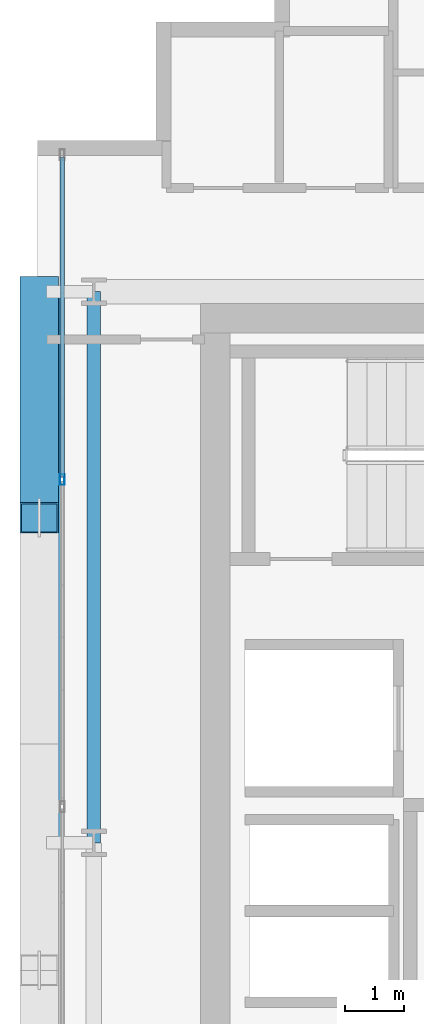
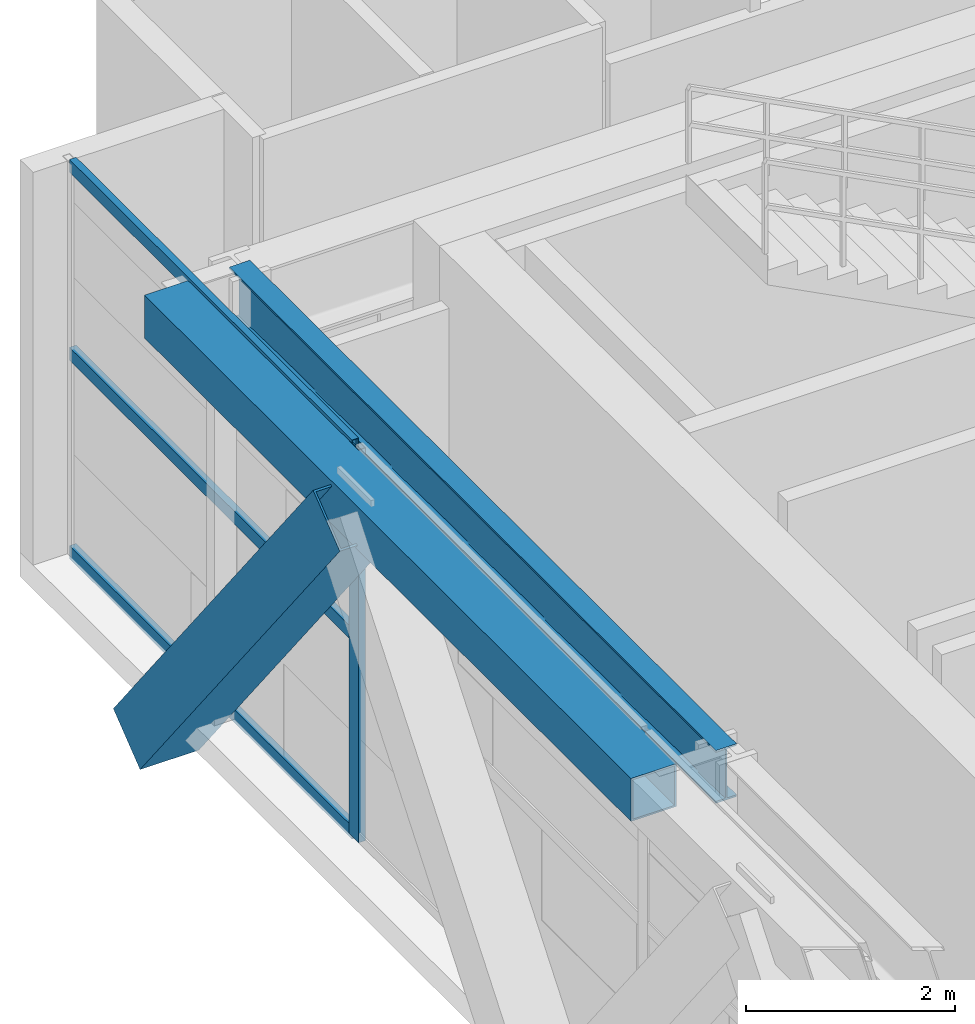
# One storey, part 7 of 31: 5 members, 2 beams, 1 element without a shape of its own.
"""IFC4 building model written with IfcOpenShell, lengths in metres."""

from ifc_helpers import new_model, si_unit, direction, frame, origin, origin_2d, place, context, subcontext, project, spatial, hollow_rectangle, i_section, extrude, source, transform, mapped, material, layer, layer_set, material_profile, profile_set, type_object, element, aggregate, save


model = new_model("IFC4")

# Units and contexts
model_context = context("Model", 3, precision=1e-05, world=origin(), true_north=direction((0.0, 1.0)))
body_context = subcontext(model_context, "Body", "Model", "MODEL_VIEW")
ifc_project = project(units=[si_unit("LENGTHUNIT", "METRE"), si_unit("AREAUNIT", "SQUARE_METRE"), si_unit("VOLUMEUNIT", "CUBIC_METRE"), si_unit("PLANEANGLEUNIT", "RADIAN"), si_unit("MASSUNIT", "GRAM", prefix="KILO")], contexts=[model_context])

# Site, building, storey
site_placement = place(None, origin())
site = spatial("IfcSite", under=ifc_project, at=site_placement, CompositionType="ELEMENT")
building_placement = place(site_placement, origin())
building = spatial("IfcBuilding", under=site, at=building_placement, Name="Ocotamira Hotel", CompositionType="ELEMENT")
storey_placement = place(building_placement, frame((0.0, 0.0, 228.0)))
storey = spatial("IfcBuildingStorey", under=building, at=storey_placement, Name="L57", CompositionType="ELEMENT", Elevation=228.0)

# Beams
ifc_material_1 = material(Name="Steel ASTM A992 Grade 50", Category="steel")
ifc_material_profile_1 = material_profile(ifc_material_1, i_section(OverallWidth=0.22998046875, OverallDepth=0.616943359375, WebThickness=0.01318359375, FlangeThickness=0.022216796875, FilletRadius=0.012939453125, at=origin_2d()), Name="W24X94")
ifc_profile_set_1 = profile_set([ifc_material_profile_1], Name="Steel ASTM A992 Grade 50")
beam_type_1 = type_object("IfcBeamType", Name="BM-PRIM-W24X94", PredefinedType="BEAM", material=ifc_profile_set_1)
shared_shape_1 = source(origin(), body_context, "Body", "SweptSolid", [
    extrude(i_section(OverallWidth=0.22998046875, OverallDepth=0.616943359375, WebThickness=0.01318359375, FlangeThickness=0.022216796875, FilletRadius=0.012939453125, at=origin_2d()), origin(), (0.0, 0.0, 1.0), 9.300048828125),
])
beam_1_placement = place(storey_placement, frame((8.949951171875, 28.14990234375, 4.271484375), z_axis=(0.0, 1.0, 0.0), x_axis=(-1.0, 0.0, 0.0)))
element("IfcBeam", 1, at=beam_1_placement, inside=storey, type_object=beam_type_1, Name="L57 Beam X8.95 Y28.15-37.45", PredefinedType="BEAM", context=body_context, shape_type="MappedRepresentation", body=[
    mapped(shared_shape_1, transform((0.0, 0.0, 0.0), scale=1.0)),
])
ifc_material_2 = material(Name="Steel ASTM A500 Grade C", Category="steel")
ifc_material_profile_2 = material_profile(ifc_material_2, hollow_rectangle(XDim=0.5, YDim=0.5, WallThickness=0.02001953125, at=origin_2d()), Name="HSS500X500X20")
ifc_profile_set_2 = profile_set([ifc_material_profile_2], Name="Steel ASTM A500 Grade C")
beam_type_2 = type_object("IfcBeamType", Name="BM-SPAN-HSS500", PredefinedType="USERDEFINED", material=ifc_profile_set_2)
shared_shape_2 = source(origin(), body_context, "Body", "SweptSolid", [
    extrude(hollow_rectangle(XDim=0.5, YDim=0.5, WallThickness=0.02001953125, at=origin_2d()), origin(), (0.0, 0.0, 1.0), 9.300048828125),
])
beam_2_placement = place(storey_placement, frame((8.14990234375, 28.14990234375, 4.330078125), z_axis=(0.0, 1.0, 0.0), x_axis=(-1.0, 0.0, 0.0)))
element("IfcBeam", 2, at=beam_2_placement, inside=storey, type_object=beam_type_2, Name="L57 Edge Spandrel W Y28.15-37.45", ObjectType="SPANDREL", PredefinedType="USERDEFINED", context=body_context, shape_type="MappedRepresentation", body=[
    mapped(shared_shape_2, transform((0.0, 0.0, 0.0), scale=1.0)),
])

# Member
ifc_material_3 = material(Name="Pale-metal coated steel ASTM A913 Grade 65", Category="steel")
ifc_material_profile_3 = material_profile(ifc_material_3, hollow_rectangle(XDim=0.64990234375, YDim=0.64990234375, WallThickness=0.02197265625, at=origin_2d()), Name="BOX650X650X22")
ifc_profile_set_3 = profile_set([ifc_material_profile_3], Name="Pale-metal coated steel ASTM A913 Grade 65")
member_type_1 = type_object("IfcMemberType", Name="MEM-EXO-BOX650", PredefinedType="BRACE", material=ifc_profile_set_3)
shared_shape_3 = source(origin(), body_context, "Body", "SweptSolid", [
    extrude(hollow_rectangle(XDim=0.64990234375, YDim=0.64990234375, WallThickness=0.02197265625, at=origin_2d()), origin(), (0.0, 0.0, 1.0), 6.1796875),
])
member_1_placement = place(storey_placement, frame((8.030029296875, 37.449951171875, -0.530029296875), z_axis=(0.0, -0.61762087854, 0.786475969366), x_axis=(1.0, 0.0, 0.0)))
element("IfcMember", 3, at=member_1_placement, inside=storey, type_object=member_type_1, Name="L57 Exoskeleton Diagrid W2.2", PredefinedType="BRACE", context=body_context, shape_type="MappedRepresentation", body=[
    mapped(shared_shape_3, transform((0.0, 0.0, 0.0), scale=1.0)),
])

# Curtain wall, members
ifc_material_4 = material(Name="Anodised pale-metal aluminium and solar glass", Category="aluminium")
ifc_layer = layer(ifc_material_4, 0.239990234375)
ifc_layer_set = layer_set([ifc_layer], Name="Anodised pale-metal aluminium and solar glass")
curtain_wall_type = type_object("IfcCurtainWallType", Name="CW-SYS5-SKY", PredefinedType="NOTDEFINED", material=ifc_layer_set)
curtain_wall_placement = place(storey_placement, origin())
curtain_wall = element("IfcCurtainWall", 4, at=curtain_wall_placement, inside=storey, type_object=curtain_wall_type, Name="L57 Curtain Wall CW-5 CW-L57-W", PredefinedType="NOTDEFINED")
ifc_material_5 = material(Name="Anodised pale-metal aluminium 6063-T6", Category="aluminium")
ifc_material_profile_4 = material_profile(ifc_material_5, hollow_rectangle(XDim=0.074951171875, YDim=0.14990234375, WallThickness=0.006103515625, at=origin_2d()), Name="HSS150X75X6")
ifc_profile_set_4 = profile_set([ifc_material_profile_4], Name="Anodised pale-metal aluminium 6063-T6")
member_type_2 = type_object("IfcMemberType", Name="CWT-150X75", PredefinedType="USERDEFINED", material=ifc_profile_set_4)
shared_shape_4 = source(origin(), body_context, "Body", "SweptSolid", [
    extrude(hollow_rectangle(XDim=0.074951171875, YDim=0.14990234375, WallThickness=0.006103515625, at=origin_2d()), origin(), (0.0, 0.0, 1.0), 5.39990234375),
])
member_2_placement = place(storey_placement, frame((8.419921875, 34.320068359375, 0.03759765625), z_axis=(0.0, 1.0, 0.0), x_axis=(-1.0, 0.0, 0.0)))
member_2 = element("IfcMember", 5, at=member_2_placement, type_object=member_type_2, Name="CW-5 transom 5.1", ObjectType="TRANSOM", PredefinedType="USERDEFINED", context=body_context, shape_type="MappedRepresentation", body=[
    mapped(shared_shape_4, transform((0.0, 0.0, 0.0), scale=1.0)),
])
member_3_placement = place(storey_placement, frame((8.419921875, 34.320068359375, 2.35009765625), z_axis=(0.0, 1.0, 0.0), x_axis=(-1.0, 0.0, 0.0)))
member_3 = element("IfcMember", 6, at=member_3_placement, type_object=member_type_2, Name="CW-5 transom 5.2", ObjectType="TRANSOM", PredefinedType="USERDEFINED", context=body_context, shape_type="MappedRepresentation", body=[
    mapped(shared_shape_4, transform((0.0, 0.0, 0.0), scale=1.0)),
])
member_4_placement = place(storey_placement, frame((8.419921875, 34.320068359375, 4.54248046875), z_axis=(0.0, 1.0, 0.0), x_axis=(-1.0, 0.0, 0.0)))
member_4 = element("IfcMember", 7, at=member_4_placement, type_object=member_type_2, Name="CW-5 transom 5.3", ObjectType="TRANSOM", PredefinedType="USERDEFINED", context=body_context, shape_type="MappedRepresentation", body=[
    mapped(shared_shape_4, transform((0.0, 0.0, 0.0), scale=1.0)),
])
ifc_material_profile_5 = material_profile(ifc_material_5, hollow_rectangle(XDim=0.080078125, YDim=0.179931640625, WallThickness=0.006103515625, at=origin_2d()), Name="HSS180X80X6")
ifc_profile_set_5 = profile_set([ifc_material_profile_5], Name="Anodised pale-metal aluminium 6063-T6")
member_type_3 = type_object("IfcMemberType", Name="CWM-180X75", PredefinedType="MULLION", material=ifc_profile_set_5)
shared_shape_5 = source(origin(), body_context, "Body", "SweptSolid", [
    extrude(hollow_rectangle(XDim=0.080078125, YDim=0.179931640625, WallThickness=0.006103515625, at=origin_2d()), origin(), (0.0, 0.0, 1.0), 4.580078125),
])
member_5_placement = place(storey_placement, frame((8.419921875, 34.280029296875, 0.0), z_axis=(0.0, 0.0, 1.0), x_axis=(-1.0, 0.0, 0.0)))
member_5 = element("IfcMember", 8, at=member_5_placement, type_object=member_type_3, Name="CW-5 mullion 5", PredefinedType="MULLION", context=body_context, shape_type="MappedRepresentation", body=[
    mapped(shared_shape_5, transform((0.0, 0.0, 0.0), scale=1.0)),
])
aggregate(curtain_wall, [member_5, member_2, member_3, member_4])

save(model, "model.ifc")
